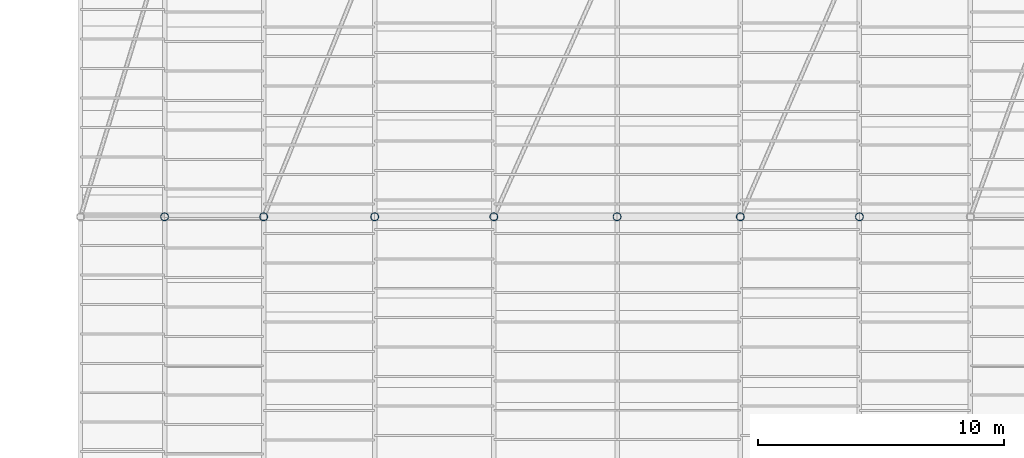
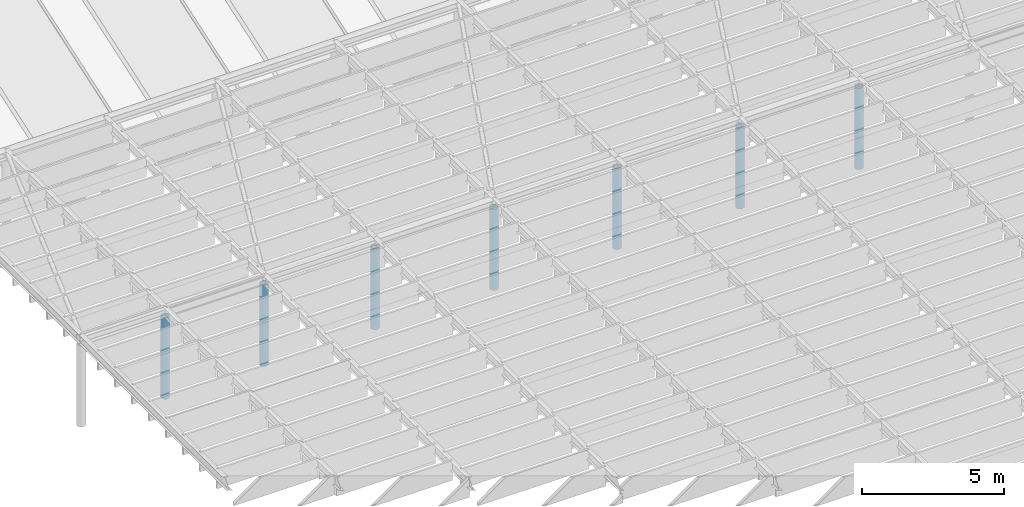
# One storey, part 6 of 47: 7 columns.
"""IFC4 building model written with IfcOpenShell, lengths in metres."""

from ifc_helpers import new_model, si_unit, direction, frame, origin, origin_2d, place, context, subcontext, project, spatial, hollow_circle, extrude, material, material_profile, profile_set, type_object, element, save


model = new_model("IFC4")

# Units and contexts
model_context = context("Model", 3, precision=1e-05, world=origin(), true_north=direction((0.0, 1.0)))
body_context = subcontext(model_context, "Body", "Model", "MODEL_VIEW")
ifc_project = project(units=[si_unit("LENGTHUNIT", "METRE"), si_unit("AREAUNIT", "SQUARE_METRE"), si_unit("VOLUMEUNIT", "CUBIC_METRE"), si_unit("PLANEANGLEUNIT", "RADIAN"), si_unit("MASSUNIT", "GRAM", prefix="KILO")], contexts=[model_context])

# Site, building, storey
site_placement = place(None, origin())
site = spatial("IfcSite", under=ifc_project, at=site_placement, CompositionType="ELEMENT")
building_placement = place(site_placement, origin())
building = spatial("IfcBuilding", under=site, at=building_placement, Name="Mawjan Specialist Oncology Clinic", CompositionType="ELEMENT")
storey_placement = place(building_placement, frame((0.0, 0.0, 9.5)))
storey = spatial("IfcBuildingStorey", under=building, at=storey_placement, Name="L02", CompositionType="ELEMENT", Elevation=9.5)

# Columns
ifc_material = material(Name="Structural steel S355", Category="steel")
ifc_material_profile = material_profile(ifc_material, hollow_circle(Radius=0.161865234375, WallThickness=0.011962890625, at=origin_2d()), Name="CHS 323.9x12", Category="steel")
ifc_profile_set = profile_set([ifc_material_profile], Name="Structural steel S355")
column_type = type_object("IfcColumnType", Name="SC-CHS324", PredefinedType="COLUMN", material=ifc_profile_set)
for number, where, z_axis, x_axis, name in (
    (1, (65.573486328125, 32.0, 0.0), (0.0, 0.0, 1.0), (1.0, 0.0, 0.0), "Courtyard Canopy Column 2 L02"),
    (2, (69.611328125, 32.0, 0.0), (0.0, 0.0, 1.0), (1.0, 0.0, 0.0), "Courtyard Canopy Column 3 L02"),
    (3, (74.131103515625, 32.0, 0.0), (0.0, 0.0, 1.0), (1.0, 0.0, 0.0), "Courtyard Canopy Column 4 L02"),
    (4, (78.981689453125, 32.0, 0.0), (0.0, 0.0, 1.0), (1.0, 0.0, 0.0), "Courtyard Canopy Column 5 L02"),
    (5, (84.0, 32.0, 0.0), (0.0, 0.0, 1.0), (1.0, 0.0, 0.0), "Courtyard Canopy Column 6 L02"),
    (6, (89.018310546875, 32.0, 0.0), (0.0, 0.0, 1.0), (1.0, 0.0, 0.0), "Courtyard Canopy Column 7 L02"),
    (7, (93.868896484375, 32.0, 0.0), (0.0, 0.0, 1.0), (1.0, 0.0, 0.0), "Courtyard Canopy Column 8 L02"),
):
    element("IfcColumn", number, at=place(storey_placement, frame(where, z_axis=z_axis, x_axis=x_axis)), inside=storey, type_object=column_type, Name=name, PredefinedType="COLUMN", context=body_context, shape_type="SweptSolid", body=[
        extrude(hollow_circle(Radius=0.161865234375, WallThickness=0.011962890625, at=origin_2d()), origin(), (0.0, 0.0, 1.0), 3.5),
    ])

save(model, "model.ifc")
